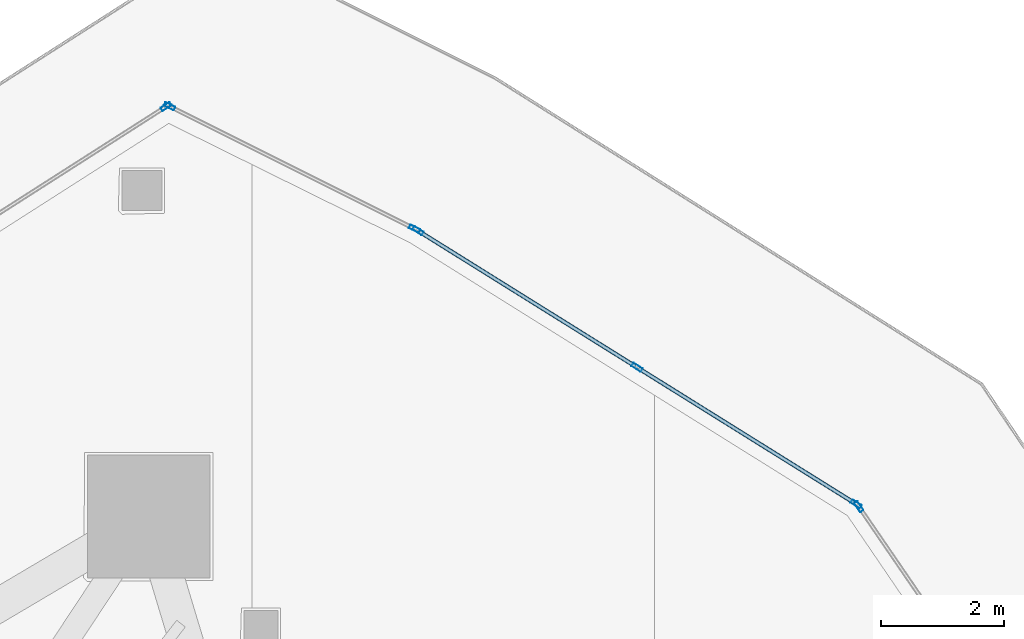
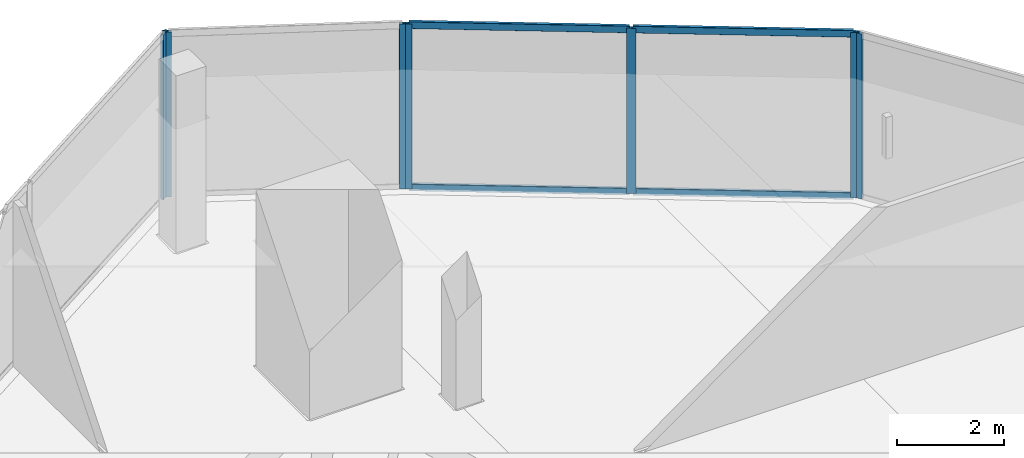
# One storey, part 23 of 37: 11 members, 4 elements without a shape of their own.
"""IFC4 building model written with IfcOpenShell, lengths in metres."""

import ifcopenshell
import ifcopenshell.guid

model = None  # the IFC model being written
_history = None  # IfcOwnerHistory: only IFC2X3 demands one
_inside = {}  # id of a spatial element -> (the spatial element, [elements in it])
_under = {}  # id of a project, library or spatial element -> (it, [spatial elements below it])
_declared = {}  # id of a project -> (the project, [libraries it declares])
_typed = {}  # id of a type object -> (the type object, [elements of that type])
_made_of = {}  # id of a material, layer set ... -> (it, [elements and type objects made of it])


def new_model(schema):
    """Start an empty IFC model of exactly this schema.

    Asked for "IFC4X3", IfcOpenShell would pick the latest addendum, in which some entities
    have other attributes; the version numbers below select the first issue.
    IFC2X3 requires an IfcOwnerHistory on every rooted entity: one is made here for all.
    """
    global model, _history
    if schema == "IFC4X3":
        model = ifcopenshell.file(schema_version=(4, 3, 0, 0))
    else:
        model = ifcopenshell.file(schema=schema)
    _inside.clear()
    _under.clear()
    _declared.clear()
    _typed.clear()
    _made_of.clear()
    _history = None
    if model.schema == "IFC2X3":
        org = make("IfcOrganization", Name="unknown")
        user = make(
            "IfcPersonAndOrganization",
            ThePerson=make("IfcPerson", FamilyName="unknown"),
            TheOrganization=org,
        )
        app = make(
            "IfcApplication",
            ApplicationDeveloper=org,
            Version="unknown",
            ApplicationFullName="unknown",
            ApplicationIdentifier="unknown",
        )
        _history = make(
            "IfcOwnerHistory",
            OwningUser=user,
            OwningApplication=app,
            ChangeAction="ADDED",
            CreationDate=0,
        )
    return model


def make(cls, **values):
    """One entity of the class cls with the attributes given. An attribute that is None is left unset."""
    return model.create_entity(
        cls, **{name: value for name, value in values.items() if value is not None}
    )


def rooted(cls, **values):
    """An entity with a GlobalId (a new one), such as an element, a storey or a relation."""
    return make(cls, GlobalId=ifcopenshell.guid.new(), OwnerHistory=_history, **values)


def si_unit(unit_type, name, prefix=None):
    """IfcSIUnit, for example si_unit("LENGTHUNIT", "METRE", prefix="MILLI")."""
    return make("IfcSIUnit", UnitType=unit_type, Prefix=prefix, Name=name)


def assignment(units):
    """IfcUnitAssignment: the units of a project."""
    return None if units is None else make("IfcUnitAssignment", Units=units)


def point(xyz):
    """IfcCartesianPoint."""
    return None if xyz is None else make("IfcCartesianPoint", Coordinates=xyz)


def direction(xyz):
    """IfcDirection."""
    return None if xyz is None else make("IfcDirection", DirectionRatios=xyz)


def frame(location, z_axis=None, x_axis=None):
    """IfcAxis2Placement3D, a coordinate frame: its origin and axes. An axis left out is left unset."""
    return make(
        "IfcAxis2Placement3D",
        Location=point(location),
        Axis=direction(z_axis),
        RefDirection=direction(x_axis),
    )


def frame_2d(location, x_axis=None):
    """IfcAxis2Placement2D, a coordinate frame in the plane: its origin and x axis."""
    return make(
        "IfcAxis2Placement2D", Location=point(location), RefDirection=direction(x_axis)
    )


def origin():
    """The frame at (0, 0, 0) with its axes left unset."""
    return frame((0.0, 0.0, 0.0))


def origin_2d():
    """The frame at (0, 0) in the plane with its x axis left unset."""
    return frame_2d((0.0, 0.0))


def place(relative_to, where):
    """IfcLocalPlacement: puts the frame where relative to a parent placement (None: the world)."""
    return make(
        "IfcLocalPlacement", PlacementRelTo=relative_to, RelativePlacement=where
    )


def context(
    kind, dimensions, precision=None, world=None, true_north=None, identifier=None
):
    """IfcGeometricRepresentationContext, for example the 3D "Model" context."""
    return make(
        "IfcGeometricRepresentationContext",
        ContextIdentifier=identifier,
        ContextType=kind,
        CoordinateSpaceDimension=dimensions,
        Precision=precision,
        WorldCoordinateSystem=world,
        TrueNorth=true_north,
    )


def subcontext(parent, identifier, kind, view, scale=None):
    """IfcGeometricRepresentationSubContext, for example "Body" below "Model"."""
    return make(
        "IfcGeometricRepresentationSubContext",
        ContextIdentifier=identifier,
        ContextType=kind,
        ParentContext=parent,
        TargetScale=scale,
        TargetView=view,
    )


def project(units=None, contexts=None):
    """IfcProject with its units and contexts."""
    return rooted(
        "IfcProject",
        Name="project",
        RepresentationContexts=contexts,
        UnitsInContext=assignment(units),
    )


def spatial(cls, under=None, at=None, **own):
    """A site, building, storey or space (cls), placed at a placement, below another one or the project."""
    s = rooted(cls, ObjectPlacement=at, **own)
    if under is not None:
        _under.setdefault(under.id(), (under, []))[1].append(s)
    return s


def profile(cls, at=None, kind="AREA", **sizes):
    """A parametric profile (cls). Its sizes go by their IFC names, for example OverallWidth=200.0."""
    return make(cls, ProfileType=kind, Position=at, **sizes)


def hollow_rectangle(**sizes):
    """IfcRectangleHollowProfileDef."""
    return profile("IfcRectangleHollowProfileDef", **sizes)


def extrude(swept, where, along, depth):
    """IfcExtrudedAreaSolid: the profile swept, set in the frame where, extruded along a direction by depth."""
    return make(
        "IfcExtrudedAreaSolid",
        SweptArea=swept,
        Position=where,
        ExtrudedDirection=direction(along),
        Depth=depth,
    )


def shape(context_of_items, identifier, shape_type, items):
    """IfcShapeRepresentation: the items that make up one representation, for example the "Body"."""
    return make(
        "IfcShapeRepresentation",
        ContextOfItems=context_of_items,
        RepresentationIdentifier=identifier,
        RepresentationType=shape_type,
        Items=items,
    )


def material(Name=None, Category=None):
    """IfcMaterial."""
    return make("IfcMaterial", Name=Name, Category=Category)


def layer(
    of_material, thickness, ventilated=None, Name=None, Category=None, Priority=None
):
    """IfcMaterialLayer: one layer of a wall or slab, of a material (None: an air gap)."""
    return make(
        "IfcMaterialLayer",
        Material=of_material,
        LayerThickness=thickness,
        IsVentilated=ventilated,
        Name=Name,
        Category=Category,
        Priority=Priority,
    )


def layer_set(layers, Name=None):
    """IfcMaterialLayerSet."""
    return make("IfcMaterialLayerSet", MaterialLayers=layers, LayerSetName=Name)


def material_profile(
    of_material, cross_section, Name=None, Category=None, Priority=None
):
    """IfcMaterialProfile: a cross section and its material."""
    return make(
        "IfcMaterialProfile",
        Name=Name,
        Material=of_material,
        Profile=cross_section,
        Priority=Priority,
        Category=Category,
    )


def profile_set(profiles, Name=None, composite=None):
    """IfcMaterialProfileSet."""
    return make(
        "IfcMaterialProfileSet",
        Name=Name,
        MaterialProfiles=profiles,
        CompositeProfile=composite,
    )


def made_of(thing, what):
    """Note that an element or type object is made of a material, layer set ...; save() writes the relation."""
    if what is not None:
        _made_of.setdefault(what.id(), (what, []))[1].append(thing)
    return thing


def type_object(cls, material=None, **own):
    """A type object (cls), such as IfcWallType, which elements share."""
    return made_of(rooted(cls, **own), material)


def element(
    cls,
    number,
    at=None,
    inside=None,
    cuts=None,
    type_object=None,
    material=None,
    context=None,
    identifier="Body",
    shape_type=None,
    held_by="IfcProductDefinitionShape",
    body=None,
    shapes=None,
    **own,
):
    """One element of the class cls, such as IfcWall. Its Tag is "e" and its number.

    at: its placement. inside: the storey or other place that contains it. cuts: it is an
    opening in that element (IfcRelVoidsElement). A single representation is given by context,
    identifier, shape_type and body (its items); several are given by shapes. held_by: the class
    of the entity that holds the representations. save() writes the other relations.
    """
    e = rooted(cls, Tag="e%d" % number, ObjectPlacement=at, **own)
    if body is not None:
        shapes = [shape(context, identifier, shape_type, body)]
    if shapes is not None:
        e.Representation = make(held_by, Representations=shapes)
    if inside is not None:
        _inside.setdefault(inside.id(), (inside, []))[1].append(e)
    if cuts is not None:
        rooted(
            "IfcRelVoidsElement", RelatingBuildingElement=cuts, RelatedOpeningElement=e
        )
    if type_object is not None:
        _typed.setdefault(type_object.id(), (type_object, []))[1].append(e)
    return made_of(e, material)


def aggregate(whole, parts):
    """IfcRelAggregates: a whole, such as a stair, and the parts it consists of."""
    return rooted("IfcRelAggregates", RelatingObject=whole, RelatedObjects=parts)


def save(model, path):
    """Write the relations noted so far, then the file.

    IfcRelAggregates (storeys below a building ...), IfcRelContainedInSpatialStructure (elements
    in a storey), IfcRelDefinesByType, IfcRelAssociatesMaterial and IfcRelDeclares: one each for
    every whole, place, type object, material and project.
    """
    for whole, parts in _under.values():
        aggregate(whole, parts)
    for where, things in _inside.values():
        rooted(
            "IfcRelContainedInSpatialStructure",
            RelatedElements=things,
            RelatingStructure=where,
        )
    for kind, things in _typed.values():
        rooted("IfcRelDefinesByType", RelatedObjects=things, RelatingType=kind)
    for what, things in _made_of.values():
        rooted("IfcRelAssociatesMaterial", RelatedObjects=things, RelatingMaterial=what)
    for by, libraries in _declared.values():
        rooted("IfcRelDeclares", RelatingContext=by, RelatedDefinitions=libraries)
    model.write(path)


model = new_model("IFC4")

# Units and contexts
model_context = context("Model", 3, precision=1e-05, world=origin(), true_north=direction((0.0, 1.0)))
body_context = subcontext(model_context, "Body", "Model", "MODEL_VIEW")
ifc_project = project(units=[si_unit("LENGTHUNIT", "METRE"), si_unit("AREAUNIT", "SQUARE_METRE"), si_unit("VOLUMEUNIT", "CUBIC_METRE"), si_unit("PLANEANGLEUNIT", "RADIAN"), si_unit("MASSUNIT", "GRAM", prefix="KILO")], contexts=[model_context])

# Site, building, storey
site_placement = place(None, origin())
site = spatial("IfcSite", under=ifc_project, at=site_placement, CompositionType="ELEMENT")
building_placement = place(site_placement, origin())
building = spatial("IfcBuilding", under=site, at=building_placement, Name="Qorvath Tower", CompositionType="ELEMENT")
storey_placement = place(building_placement, frame((0.0, 0.0, 184.800048828125)))
storey = spatial("IfcBuildingStorey", under=building, at=storey_placement, Name="L42", CompositionType="ELEMENT", Elevation=184.800048828125)

# Curtain wall, member
ifc_material_1 = material(Name="Anodised aluminium and triple low-E glass", Category="aluminium")
ifc_layer = layer(ifc_material_1, 0.179931640625)
ifc_layer_set = layer_set([ifc_layer], Name="CW-SYS-3")
curtain_wall_type = type_object("IfcCurtainWallType", Name="CW-SYS-3", PredefinedType="NOTDEFINED", material=ifc_layer_set)
curtain_wall_1_placement = place(storey_placement, origin())
curtain_wall_1 = element("IfcCurtainWall", 1, at=curtain_wall_1_placement, inside=storey, type_object=curtain_wall_type, Name="Curtain Wall CW-3 CW-T-L42-13.1", PredefinedType="NOTDEFINED")
ifc_material_2 = material(Name="Anodised aluminium 6063-T6", Category="aluminium")
ifc_material_profile_1 = material_profile(ifc_material_2, hollow_rectangle(XDim=0.06494140625, YDim=0.179931640625, WallThickness=0.00341796875, InnerFilletRadius=0.00341796875, OuterFilletRadius=0.007080078125, at=origin_2d()), Name="CWM 180x65")
ifc_profile_set_1 = profile_set([ifc_material_profile_1], Name="Anodised aluminium 6063-T6")
member_type_1 = type_object("IfcMemberType", Name="CWM-180", PredefinedType="MULLION", material=ifc_profile_set_1)
member_1_placement = place(storey_placement, frame((-5.3134765625, 21.78564453125, 0.0), z_axis=(0.0, 0.0, 1.0), x_axis=(-0.825476698429, -0.564436196882, 0.0)))
member_1 = element("IfcMember", 2, at=member_1_placement, type_object=member_type_1, Name="CW-3 mullion 2", PredefinedType="MULLION", context=body_context, shape_type="SweptSolid", body=[
    extrude(hollow_rectangle(XDim=0.06494140625, YDim=0.179931640625, WallThickness=0.00341796875, InnerFilletRadius=0.00341796875, OuterFilletRadius=0.007080078125, at=origin_2d()), origin(), (0.0, 0.0, 1.0), 3.780029296875),
])
aggregate(curtain_wall_1, [member_1])

# Curtain wall, members
curtain_wall_2_placement = place(storey_placement, origin())
curtain_wall_2 = element("IfcCurtainWall", 3, at=curtain_wall_2_placement, inside=storey, type_object=curtain_wall_type, Name="Curtain Wall CW-3 CW-T-L42-14.1", PredefinedType="NOTDEFINED")
member_2_placement = place(storey_placement, frame((-5.359375, 21.82958984375, 0.0), z_axis=(0.0, 0.0, 1.0), x_axis=(-0.529252450172, -0.848464403488, 0.0)))
member_2 = element("IfcMember", 4, at=member_2_placement, type_object=member_type_1, Name="CW-3 mullion 1", PredefinedType="MULLION", context=body_context, shape_type="SweptSolid", body=[
    extrude(hollow_rectangle(XDim=0.06494140625, YDim=0.179931640625, WallThickness=0.00341796875, InnerFilletRadius=0.00341796875, OuterFilletRadius=0.007080078125, at=origin_2d()), origin(), (0.0, 0.0, 1.0), 3.780029296875),
])
member_3_placement = place(storey_placement, frame((-8.923828125, 24.05322265625, 0.0), z_axis=(0.0, 0.0, 1.0), x_axis=(-0.529252450172, -0.848464403488, 0.0)))
member_3 = element("IfcMember", 5, at=member_3_placement, type_object=member_type_1, Name="CW-3 mullion 2", PredefinedType="MULLION", context=body_context, shape_type="SweptSolid", body=[
    extrude(hollow_rectangle(XDim=0.06494140625, YDim=0.179931640625, WallThickness=0.00341796875, InnerFilletRadius=0.00341796875, OuterFilletRadius=0.007080078125, at=origin_2d()), origin(), (0.0, 0.0, 1.0), 3.780029296875),
])
member_4_placement = place(storey_placement, frame((-12.488525390625, 26.276611328125, 0.0), z_axis=(0.0, 0.0, 1.0), x_axis=(-0.529252450172, -0.848464403488, 0.0)))
member_4 = element("IfcMember", 6, at=member_4_placement, type_object=member_type_1, Name="CW-3 mullion 3", PredefinedType="MULLION", context=body_context, shape_type="SweptSolid", body=[
    extrude(hollow_rectangle(XDim=0.06494140625, YDim=0.179931640625, WallThickness=0.00341796875, InnerFilletRadius=0.00341796875, OuterFilletRadius=0.007080078125, at=origin_2d()), origin(), (0.0, 0.0, 1.0), 3.780029296875),
])

curtain_wall_3_placement = place(storey_placement, origin())
curtain_wall_3 = element("IfcCurtainWall", 7, at=curtain_wall_3_placement, inside=storey, type_object=curtain_wall_type, Name="Curtain Wall CW-3 CW-T-L42-15.1", PredefinedType="NOTDEFINED")
member_5_placement = place(storey_placement, frame((-12.545166015625, 26.308349609375, 0.0), z_axis=(0.0, 0.0, 1.0), x_axis=(-0.447195906569, -0.894436035247, 0.0)))
member_5 = element("IfcMember", 8, at=member_5_placement, type_object=member_type_1, Name="CW-3 mullion 1", PredefinedType="MULLION", context=body_context, shape_type="SweptSolid", body=[
    extrude(hollow_rectangle(XDim=0.06494140625, YDim=0.179931640625, WallThickness=0.00341796875, InnerFilletRadius=0.00341796875, OuterFilletRadius=0.007080078125, at=origin_2d()), origin(), (0.0, 0.0, 1.0), 3.780029296875),
])
member_6_placement = place(storey_placement, frame((-16.5322265625, 28.3017578125, 0.0), z_axis=(0.0, 0.0, 1.0), x_axis=(-0.447195906569, -0.894436035247, 0.0)))
member_6 = element("IfcMember", 9, at=member_6_placement, type_object=member_type_1, Name="CW-3 mullion 2", PredefinedType="MULLION", context=body_context, shape_type="SweptSolid", body=[
    extrude(hollow_rectangle(XDim=0.06494140625, YDim=0.179931640625, WallThickness=0.00341796875, InnerFilletRadius=0.00341796875, OuterFilletRadius=0.007080078125, at=origin_2d()), origin(), (0.0, 0.0, 1.0), 3.780029296875),
])
aggregate(curtain_wall_3, [member_5, member_6])

# Curtain wall, member
curtain_wall_4_placement = place(storey_placement, origin())
curtain_wall_4 = element("IfcCurtainWall", 10, at=curtain_wall_4_placement, inside=storey, type_object=curtain_wall_type, Name="Curtain Wall CW-3 CW-T-L42-16.1", PredefinedType="NOTDEFINED")
member_7_placement = place(storey_placement, frame((-16.588623046875, 28.298828125, 0.0), z_axis=(0.0, 0.0, 1.0), x_axis=(0.538531234683, -0.842605547852, 0.0)))
member_7 = element("IfcMember", 11, at=member_7_placement, type_object=member_type_1, Name="CW-3 mullion 1", PredefinedType="MULLION", context=body_context, shape_type="SweptSolid", body=[
    extrude(hollow_rectangle(XDim=0.06494140625, YDim=0.179931640625, WallThickness=0.00341796875, InnerFilletRadius=0.00341796875, OuterFilletRadius=0.007080078125, at=origin_2d()), origin(), (0.0, 0.0, 1.0), 3.780029296875),
])
aggregate(curtain_wall_4, [member_7])

# Member
ifc_material_3 = material(Name="Anodised aluminium 6063-T6", Category="aluminium")
ifc_material_profile_2 = material_profile(ifc_material_3, hollow_rectangle(XDim=0.06494140625, YDim=0.159912109375, WallThickness=0.00341796875, InnerFilletRadius=0.00341796875, OuterFilletRadius=0.007080078125, at=origin_2d()), Name="CWT 160x65")
ifc_profile_set_2 = profile_set([ifc_material_profile_2], Name="Anodised aluminium 6063-T6")
member_type_2 = type_object("IfcMemberType", Name="CWT-160", PredefinedType="USERDEFINED", material=ifc_profile_set_2)
member_8_placement = place(storey_placement, frame((-5.386962890625, 21.846923828125, 0.032470703125), z_axis=(-0.848485399586, 0.529218789056, 0.0), x_axis=(-0.529218789056, -0.848485399586, 0.0)))
member_8 = element("IfcMember", 12, at=member_8_placement, type_object=member_type_2, Name="CW-3 transom 1.1", ObjectType="TRANSOM", PredefinedType="USERDEFINED", context=body_context, shape_type="SweptSolid", body=[
    extrude(hollow_rectangle(XDim=0.06494140625, YDim=0.159912109375, WallThickness=0.00341796875, InnerFilletRadius=0.00341796875, OuterFilletRadius=0.007080078125, at=origin_2d()), origin(), (0.0, 0.0, 1.0), 4.13623046875),
])

member_9_placement = place(storey_placement, frame((-5.386962890625, 21.846923828125, 3.74755859375), z_axis=(-0.848485399586, 0.529218789056, 0.0), x_axis=(-0.529218789056, -0.848485399586, 0.0)))
member_9 = element("IfcMember", 13, at=member_9_placement, type_object=member_type_2, Name="CW-3 transom 1.2", ObjectType="TRANSOM", PredefinedType="USERDEFINED", context=body_context, shape_type="SweptSolid", body=[
    extrude(hollow_rectangle(XDim=0.06494140625, YDim=0.159912109375, WallThickness=0.00341796875, InnerFilletRadius=0.00341796875, OuterFilletRadius=0.007080078125, at=origin_2d()), origin(), (0.0, 0.0, 1.0), 4.13623046875),
])

member_10_placement = place(storey_placement, frame((-8.951416015625, 24.0703125, 0.032470703125), z_axis=(-0.848458895061, 0.529261280836, 0.0), x_axis=(-0.529261280836, -0.848458895061, 0.0)))
member_10 = element("IfcMember", 14, at=member_10_placement, type_object=member_type_2, Name="CW-3 transom 2.1", ObjectType="TRANSOM", PredefinedType="USERDEFINED", context=body_context, shape_type="SweptSolid", body=[
    extrude(hollow_rectangle(XDim=0.06494140625, YDim=0.159912109375, WallThickness=0.00341796875, InnerFilletRadius=0.00341796875, OuterFilletRadius=0.007080078125, at=origin_2d()), origin(), (0.0, 0.0, 1.0), 4.13623046875),
])

member_11_placement = place(storey_placement, frame((-8.951416015625, 24.0703125, 3.74755859375), z_axis=(-0.848458895061, 0.529261280836, 0.0), x_axis=(-0.529261280836, -0.848458895061, 0.0)))
member_11 = element("IfcMember", 15, at=member_11_placement, type_object=member_type_2, Name="CW-3 transom 2.2", ObjectType="TRANSOM", PredefinedType="USERDEFINED", context=body_context, shape_type="SweptSolid", body=[
    extrude(hollow_rectangle(XDim=0.06494140625, YDim=0.159912109375, WallThickness=0.00341796875, InnerFilletRadius=0.00341796875, OuterFilletRadius=0.007080078125, at=origin_2d()), origin(), (0.0, 0.0, 1.0), 4.13623046875),
])

aggregate(curtain_wall_2, [member_2, member_3, member_4, member_8, member_9, member_10, member_11])

save(model, "model.ifc")
